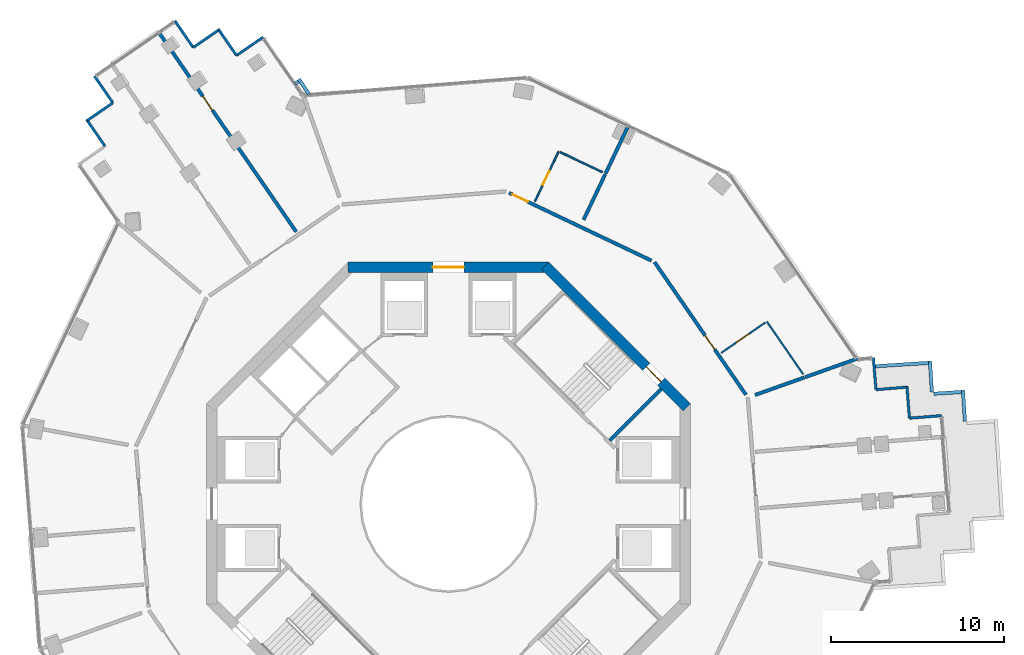
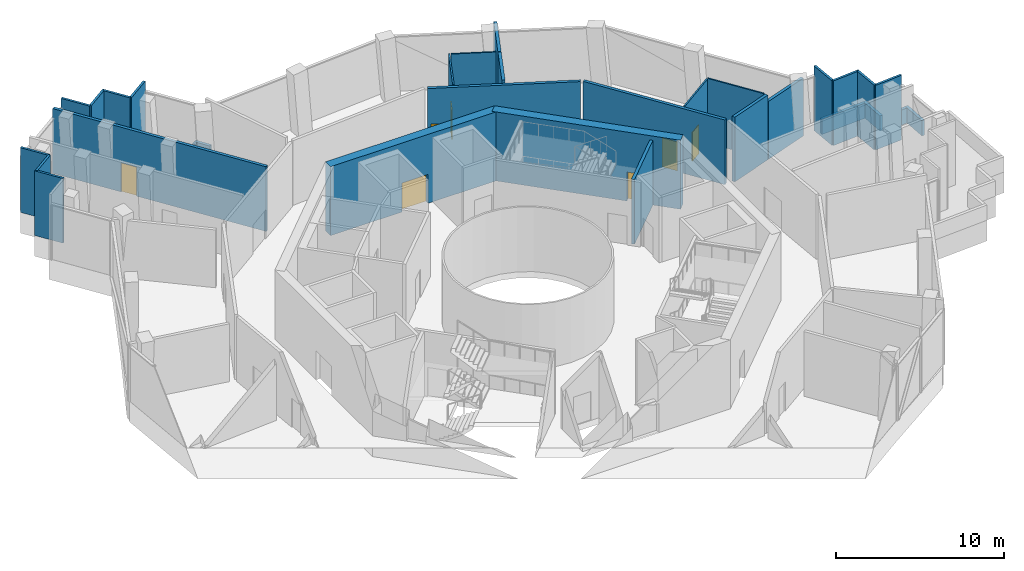
# One storey, part 14 of 21: 31 walls, 7 doors, 7 openings.
"""IFC4 building model written with IfcOpenShell, lengths in metres."""

from ifc_helpers import new_model, si_unit, direction, frame, frame_2d, origin, place, context, subcontext, project, spatial, rectangle, extrude, material, layer, layer_set, type_object, element, fill, save


model = new_model("IFC4")

# Units and contexts
model_context = context("Model", 3, precision=1e-05, world=origin(), true_north=direction((0.0, 1.0)))
body_context = subcontext(model_context, "Body", "Model", "MODEL_VIEW")
ifc_project = project(units=[si_unit("LENGTHUNIT", "METRE"), si_unit("AREAUNIT", "SQUARE_METRE"), si_unit("VOLUMEUNIT", "CUBIC_METRE"), si_unit("PLANEANGLEUNIT", "RADIAN"), si_unit("MASSUNIT", "GRAM", prefix="KILO")], contexts=[model_context])

# Site, building, storey
site_placement = place(None, origin())
site = spatial("IfcSite", under=ifc_project, at=site_placement, CompositionType="ELEMENT")
building_placement = place(site_placement, origin())
building = spatial("IfcBuilding", under=site, at=building_placement, Name="Verdalira Terraces Hotel", CompositionType="ELEMENT")
storey_placement = place(building_placement, frame((0.0, 0.0, 175.0)))
storey = spatial("IfcBuildingStorey", under=building, at=storey_placement, Name="L42", CompositionType="ELEMENT", Elevation=175.0)

# Wall, opening, door
ifc_material_1 = material(Name="Moisture-resistant gypsum board partition")
ifc_layer_1 = layer(ifc_material_1, 0.10009765625)
ifc_layer_set_1 = layer_set([ifc_layer_1], Name="Bathroom partition 100 mm")
wall_type_1 = type_object("IfcWallType", Name="Bathroom partition 100 mm", PredefinedType="PARTITIONING", material=ifc_layer_set_1)
wall_1_placement = place(storey_placement, frame((6.379883, 20.395508, 0.0), z_axis=(0.0, 0.0, 1.0), x_axis=(-0.429581153, -0.903028257, 0.0)))
wall_1 = element("IfcWall", 1, at=wall_1_placement, inside=storey, type_object=wall_type_1, Name="Bathroom partition", PredefinedType="PARTITIONING", context=body_context, shape_type="SweptSolid", body=[
    extrude(rectangle(XDim=3.200195, YDim=0.100098, at=frame_2d((1.600098, 0.0))), origin(), (0.0, 0.0, 1.0), 4.689941),
])
opening_1_placement = place(wall_1_placement, frame((1.25, 0.0, 0.0)))
opening_1 = element("IfcOpeningElement", 2, at=opening_1_placement, cuts=wall_1, Name="Opening L42-120", PredefinedType="OPENING", context=body_context, shape_type="SweptSolid", body=[
    extrude(rectangle(XDim=0.899902, YDim=2.100098, at=frame_2d((0.449951, 1.050049))), frame((0.0, 0.060059, 0.0), z_axis=(0.0, -1.0, 0.0), x_axis=(1.0, 0.0, 0.0)), (0.0, 0.0, 1.0), 0.120117),
])
ifc_material_2 = material(Name="Timber door", Category="wood")
door_type_1 = type_object("IfcDoorType", Name="Bathroom door 900 x 2100", OperationType="NOTDEFINED", PredefinedType="DOOR", material=ifc_material_2)
door_1_placement = place(opening_1_placement, origin())
door_1 = element("IfcDoor", 3, at=door_1_placement, inside=storey, type_object=door_type_1, Name="Bathroom door 4211", OperationType="SINGLE_SWING_LEFT", OverallHeight=2.10009765625, OverallWidth=0.89990234375, PredefinedType="DOOR", context=body_context, shape_type="SweptSolid", body=[
    extrude(rectangle(XDim=0.899902, YDim=2.100098, at=frame_2d((0.449951, 1.050049))), frame((0.0, 0.024902, 0.0), z_axis=(0.0, -1.0, 0.0), x_axis=(1.0, 0.0, 0.0)), (0.0, 0.0, 1.0), 0.050049),
])
fill(opening_1, door_1)

# Wall
wall_2_placement = place(storey_placement, frame((6.470215, 20.352539, 0.0), z_axis=(0.0, 0.0, 1.0), x_axis=(0.903009227, -0.429621153, 0.0)))
element("IfcWall", 4, at=wall_2_placement, inside=storey, type_object=wall_type_1, Name="Bathroom partition", PredefinedType="PARTITIONING", context=body_context, shape_type="SweptSolid", body=[
    extrude(rectangle(XDim=2.699951, YDim=0.100098, at=frame_2d((1.350098, 0.0))), origin(), (0.0, 0.0, 1.0), 4.689941),
])

# Wall, opening, door
wall_3_placement = place(storey_placement, frame((18.3396, 10.497803, 0.0), z_axis=(0.0, 0.0, 1.0), x_axis=(-0.823533764, -0.567267256, 0.0)))
wall_3 = element("IfcWall", 5, at=wall_3_placement, inside=storey, type_object=wall_type_1, Name="Bathroom partition", PredefinedType="PARTITIONING", context=body_context, shape_type="SweptSolid", body=[
    extrude(rectangle(XDim=3.100098, YDim=0.100098, at=frame_2d((1.550049, 0.0))), origin(), (0.0, 0.0, 1.0), 4.689941),
])
opening_2_placement = place(wall_3_placement, frame((1.149902, 0.0, 0.0)))
opening_2 = element("IfcOpeningElement", 6, at=opening_2_placement, cuts=wall_3, Name="Opening L42-118", PredefinedType="OPENING", context=body_context, shape_type="SweptSolid", body=[
    extrude(rectangle(XDim=0.899902, YDim=2.100098, at=frame_2d((0.449951, 1.050049))), frame((0.0, 0.060059, 0.0), z_axis=(0.0, -1.0, 0.0), x_axis=(1.0, 0.0, 0.0)), (0.0, 0.0, 1.0), 0.120117),
])
door_2_placement = place(opening_2_placement, origin())
door_2 = element("IfcDoor", 7, at=door_2_placement, inside=storey, type_object=door_type_1, Name="Bathroom door 4210", OperationType="SINGLE_SWING_LEFT", OverallHeight=2.10009765625, OverallWidth=0.89990234375, PredefinedType="DOOR", context=body_context, shape_type="SweptSolid", body=[
    extrude(rectangle(XDim=0.899902, YDim=2.100098, at=frame_2d((0.449951, 1.050049))), frame((0.0, 0.024902, 0.0), z_axis=(0.0, -1.0, 0.0), x_axis=(1.0, 0.0, 0.0)), (0.0, 0.0, 1.0), 0.050049),
])
fill(opening_2, door_2)

# Walls
wall_4_placement = place(storey_placement, frame((18.422119, 10.554443, 0.0), z_axis=(0.0, 0.0, 1.0), x_axis=(0.567261528, -0.82353771, 0.0)))
element("IfcWall", 8, at=wall_4_placement, inside=storey, type_object=wall_type_1, Name="Bathroom partition", PredefinedType="PARTITIONING", context=body_context, shape_type="SweptSolid", body=[
    extrude(rectangle(XDim=3.703857, YDim=0.100098, at=frame_2d((1.852051, 0.0))), origin(), (0.0, 0.0, 1.0), 4.689941),
])
ifc_material_3 = material(Name="Concrete C50", Category="concrete")
ifc_layer_2 = layer(ifc_material_3, 0.199951171875)
ifc_layer_set_2 = layer_set([ifc_layer_2], Name="Core RC wall 200 C50")
wall_type_2 = type_object("IfcWallType", Name="Core RC wall 200 C50", PredefinedType="SOLIDWALL", material=ifc_layer_set_2)
wall_5_placement = place(storey_placement, frame((9.33374, 3.677002, 0.0), z_axis=(0.0, 0.0, 1.0), x_axis=(0.707135845, 0.707077716, 0.0)))
element("IfcWall", 9, at=wall_5_placement, inside=storey, type_object=wall_type_2, Name="L42 stair ST1 end wall 1", PredefinedType="SOLIDWALL", context=body_context, shape_type="SweptSolid", body=[
    extrude(rectangle(XDim=4.199951, YDim=0.199951, at=frame_2d((2.100098, 0.0))), origin(), (0.0, 0.0, 1.0), 4.689941),
])

# Wall, opening, door
ifc_material_4 = material(Name="Concrete C60", Category="concrete")
ifc_layer_3 = layer(ifc_material_4, 0.60009765625)
ifc_layer_set_3 = layer_set([ifc_layer_3], Name="Core wall 600 C60")
wall_type_3 = type_object("IfcWallType", Name="Core wall 600 C60", PredefinedType="SHEAR", material=ifc_layer_set_3)
wall_6_placement = place(storey_placement, frame((13.787842, 5.586914, 0.0), z_axis=(0.0, 0.0, 1.0), x_axis=(-0.707106781, 0.707106781, 0.0)))
wall_6 = element("IfcWall", 10, at=wall_6_placement, inside=storey, type_object=wall_type_3, Name="Core wall CW-L42-2", PredefinedType="SHEAR", context=body_context, shape_type="SweptSolid", body=[
    extrude(rectangle(XDim=11.5979, YDim=0.600098, at=frame_2d((5.798828, 0.0))), origin(), (0.0, 0.0, 1.0), 5.0),
])
opening_3_placement = place(wall_6_placement, frame((2.099121, 0.0, 0.0)))
opening_3 = element("IfcOpeningElement", 11, at=opening_3_placement, cuts=wall_6, Name="Opening L42-818", PredefinedType="OPENING", context=body_context, shape_type="SweptSolid", body=[
    extrude(rectangle(XDim=1.199951, YDim=2.100098, at=frame_2d((0.600098, 1.050049))), frame((0.0, 0.310059, 0.0), z_axis=(0.0, -1.0, 0.0), x_axis=(1.0, 0.0, 0.0)), (0.0, 0.0, 1.0), 0.620117),
])
ifc_material_5 = material(Name="Steel fire door", Category="steel")
door_type_2 = type_object("IfcDoorType", Name="Stair door 1200 x 2100", OperationType="NOTDEFINED", PredefinedType="DOOR", material=ifc_material_5)
door_3_placement = place(opening_3_placement, origin())
door_3 = element("IfcDoor", 12, at=door_3_placement, inside=storey, type_object=door_type_2, Name="Stair exit door ST1 L42", OperationType="SINGLE_SWING_LEFT", OverallHeight=2.10009765625, OverallWidth=1.199951171875, PredefinedType="DOOR", context=body_context, shape_type="SweptSolid", body=[
    extrude(rectangle(XDim=1.199951, YDim=2.100098, at=frame_2d((0.600098, 1.050049))), frame((0.0, 0.024902, 0.0), z_axis=(0.0, -1.0, 0.0), x_axis=(1.0, 0.0, 0.0)), (0.0, 0.0, 1.0), 0.050049),
])
fill(opening_3, door_3)

wall_7_placement = place(storey_placement, frame((5.799072, 13.699951, 0.0), z_axis=(0.0, 0.0, 1.0), x_axis=(-1.0, 0.0, 0.0)))
wall_7 = element("IfcWall", 13, at=wall_7_placement, inside=storey, type_object=wall_type_3, Name="Core wall CW-L42-3", PredefinedType="SHEAR", context=body_context, shape_type="SweptSolid", body=[
    extrude(rectangle(XDim=11.598145, YDim=0.600098, at=frame_2d((5.799072, 0.0))), origin(), (0.0, 0.0, 1.0), 5.0),
])
opening_4_placement = place(wall_7_placement, frame((4.898926, 0.0, 0.0)))
opening_4 = element("IfcOpeningElement", 14, at=opening_4_placement, cuts=wall_7, Name="Opening L42-815", PredefinedType="OPENING", context=body_context, shape_type="SweptSolid", body=[
    extrude(rectangle(XDim=1.800049, YDim=2.100098, at=frame_2d((0.899902, 1.050049))), frame((0.0, 0.310059, 0.0), z_axis=(0.0, -1.0, 0.0), x_axis=(1.0, 0.0, 0.0)), (0.0, 0.0, 1.0), 0.620117),
])
ifc_material_6 = material(Name="Steel fire door", Category="steel")
door_type_3 = type_object("IfcDoorType", Name="Core entry door pair 1800 x 2100", OperationType="NOTDEFINED", PredefinedType="DOOR", material=ifc_material_6)
door_4_placement = place(opening_4_placement, origin())
door_4 = element("IfcDoor", 15, at=door_4_placement, inside=storey, type_object=door_type_3, Name="Core entry door L42 2", OperationType="DOUBLE_DOOR_SINGLE_SWING", OverallHeight=2.10009765625, OverallWidth=1.800048828125, PredefinedType="DOOR", context=body_context, shape_type="SweptSolid", body=[
    extrude(rectangle(XDim=1.800049, YDim=2.100098, at=frame_2d((0.899902, 1.050049))), frame((0.0, 0.024902, 0.0), z_axis=(0.0, -1.0, 0.0), x_axis=(1.0, 0.0, 0.0)), (0.0, 0.0, 1.0), 0.050049),
])
fill(opening_4, door_4)

ifc_material_7 = material(Name="Fire-rated gypsum board wall")
ifc_layer_4 = layer(ifc_material_7, 0.199951171875)
ifc_layer_set_4 = layer_set([ifc_layer_4], Name="Demising wall 200 mm")
wall_type_4 = type_object("IfcWallType", Name="Demising wall 200 mm", PredefinedType="SOLIDWALL", material=ifc_layer_set_4)
wall_8_placement = place(storey_placement, frame((-16.769287, 27.305908, 0.0), z_axis=(0.0, 0.0, 1.0), x_axis=(0.567279033, -0.823525651, 0.0)))
wall_8 = element("IfcWall", 16, at=wall_8_placement, inside=storey, type_object=wall_type_4, Name="Demising wall", PredefinedType="SOLIDWALL", context=body_context, shape_type="SweptSolid", body=[
    extrude(rectangle(XDim=14.041748, YDim=0.199951, at=frame_2d((7.020996, 0.0))), origin(), (0.0, 0.0, 1.0), 4.689941),
])
opening_5_placement = place(wall_8_placement, frame((4.5, 0.0, 0.0)))
opening_5 = element("IfcOpeningElement", 17, at=opening_5_placement, cuts=wall_8, Name="Opening L42-102", PredefinedType="OPENING", context=body_context, shape_type="SweptSolid", body=[
    extrude(rectangle(XDim=1.0, YDim=2.100098, at=frame_2d((0.5, 1.050049))), frame((0.0, 0.109863, 0.0), z_axis=(0.0, -1.0, 0.0), x_axis=(1.0, 0.0, 0.0)), (0.0, 0.0, 1.0), 0.219971),
])
ifc_material_8 = material(Name="Timber fire door", Category="wood")
door_type_4 = type_object("IfcDoorType", Name="Public room door 1000 x 2100", OperationType="NOTDEFINED", PredefinedType="DOOR", material=ifc_material_8)
door_5_placement = place(opening_5_placement, origin())
door_5 = element("IfcDoor", 18, at=door_5_placement, inside=storey, type_object=door_type_4, Name="Public room door 4201", OperationType="SINGLE_SWING_LEFT", OverallHeight=2.10009765625, OverallWidth=1.0, PredefinedType="DOOR", context=body_context, shape_type="SweptSolid", body=[
    extrude(rectangle(XDim=1.0, YDim=2.100098, at=frame_2d((0.5, 1.050049))), frame((0.0, 0.024902, 0.0), z_axis=(0.0, -1.0, 0.0), x_axis=(1.0, 0.0, 0.0)), (0.0, 0.0, 1.0), 0.050049),
])
fill(opening_5, door_5)

# Walls
wall_9_placement = place(storey_placement, frame((7.820557, 16.440186, 0.0), z_axis=(0.0, 0.0, 1.0), x_axis=(0.429545326, 0.9030453, 0.0)))
element("IfcWall", 19, at=wall_9_placement, inside=storey, type_object=wall_type_4, Name="Demising wall", PredefinedType="SOLIDWALL", context=body_context, shape_type="SweptSolid", body=[
    extrude(rectangle(XDim=2.905029, YDim=0.199951, at=frame_2d((1.452637, 0.0))), origin(), (0.0, 0.0, 1.0), 4.689941),
])
wall_10_placement = place(storey_placement, frame((9.087891, 19.10498, 0.0), z_axis=(0.0, 0.0, 1.0), x_axis=(0.429591364, 0.9030234, 0.0)))
element("IfcWall", 20, at=wall_10_placement, inside=storey, type_object=wall_type_4, Name="Demising wall", PredefinedType="SOLIDWALL", context=body_context, shape_type="SweptSolid", body=[
    extrude(rectangle(XDim=3.101807, YDim=0.199951, at=frame_2d((1.550781, 0.0))), origin(), (0.0, 0.0, 1.0), 4.689941),
])
wall_11_placement = place(storey_placement, frame((17.745117, 6.304688, 0.0), z_axis=(0.0, 0.0, 1.0), x_axis=(0.942293924, 0.33478674, 0.0)))
element("IfcWall", 21, at=wall_11_placement, inside=storey, type_object=wall_type_4, Name="Demising wall", PredefinedType="SOLIDWALL", context=body_context, shape_type="SweptSolid", body=[
    extrude(rectangle(XDim=3.024902, YDim=0.199951, at=frame_2d((1.512451, 0.0))), origin(), (0.0, 0.0, 1.0), 4.689941),
])
ifc_material_9 = material(Name="Fire-rated gypsum board wall")
ifc_layer_5 = layer(ifc_material_9, 0.199951171875)
ifc_layer_set_5 = layer_set([ifc_layer_5], Name="Demising wall 200 mm to beam soffit")
wall_type_5 = type_object("IfcWallType", Name="Demising wall 200 mm to beam soffit", PredefinedType="SOLIDWALL", material=ifc_layer_set_5)
wall_12_placement = place(storey_placement, frame((20.638672, 7.333008, 0.0), z_axis=(0.0, 0.0, 1.0), x_axis=(0.942313304, 0.334732188, 0.0)))
element("IfcWall", 22, at=wall_12_placement, inside=storey, type_object=wall_type_5, Name="Demising wall", PredefinedType="SOLIDWALL", context=body_context, shape_type="SweptSolid", body=[
    extrude(rectangle(XDim=3.211426, YDim=0.199951, at=frame_2d((1.605713, 0.0))), origin(), (0.0, 0.0, 1.0), 4.189941),
])

# Wall, opening, door
ifc_material_10 = material(Name="Fire-rated gypsum board wall")
ifc_layer_6 = layer(ifc_material_10, 0.199951171875)
ifc_layer_set_6 = layer_set([ifc_layer_6], Name="Guest corridor wall 200 mm")
wall_type_6 = type_object("IfcWallType", Name="Guest corridor wall 200 mm", PredefinedType="SOLIDWALL", material=ifc_layer_set_6)
wall_13_placement = place(storey_placement, frame((3.512451, 17.994385, 0.0), z_axis=(0.0, 0.0, 1.0), x_axis=(0.903034211, -0.429568636, 0.0)))
wall_13 = element("IfcWall", 23, at=wall_13_placement, inside=storey, type_object=wall_type_6, Name="Guest corridor wall", PredefinedType="SOLIDWALL", context=body_context, shape_type="SweptSolid", body=[
    extrude(rectangle(XDim=9.115479, YDim=0.199951, at=frame_2d((4.557617, 0.0))), origin(), (0.0, 0.0, 1.0), 4.689941),
])
opening_6_placement = place(wall_13_placement, frame((0.199951, 0.0, 0.0)))
opening_6 = element("IfcOpeningElement", 24, at=opening_6_placement, cuts=wall_13, Name="Opening L42-119", PredefinedType="OPENING", context=body_context, shape_type="SweptSolid", body=[
    extrude(rectangle(XDim=1.0, YDim=2.100098, at=frame_2d((0.5, 1.050049))), frame((0.0, 0.109863, 0.0), z_axis=(0.0, -1.0, 0.0), x_axis=(1.0, 0.0, 0.0)), (0.0, 0.0, 1.0), 0.219971),
])
ifc_material_11 = material(Name="Timber fire door", Category="wood")
door_type_5 = type_object("IfcDoorType", Name="Guest entry door 1000 x 2100", OperationType="NOTDEFINED", PredefinedType="DOOR", material=ifc_material_11)
door_6_placement = place(opening_6_placement, origin())
door_6 = element("IfcDoor", 25, at=door_6_placement, inside=storey, type_object=door_type_5, Name="Guest entry door 4211", OperationType="SINGLE_SWING_LEFT", OverallHeight=2.10009765625, OverallWidth=1.0, PredefinedType="DOOR", context=body_context, shape_type="SweptSolid", body=[
    extrude(rectangle(XDim=1.0, YDim=2.100098, at=frame_2d((0.5, 1.050049))), frame((0.0, 0.024902, 0.0), z_axis=(0.0, -1.0, 0.0), x_axis=(1.0, 0.0, 0.0)), (0.0, 0.0, 1.0), 0.050049),
])
fill(opening_6, door_6)

wall_14_placement = place(storey_placement, frame((11.925537, 13.991943, 0.0), z_axis=(0.0, 0.0, 1.0), x_axis=(0.567263767, -0.823536167, 0.0)))
wall_14 = element("IfcWall", 26, at=wall_14_placement, inside=storey, type_object=wall_type_6, Name="Guest corridor wall", PredefinedType="SOLIDWALL", context=body_context, shape_type="SweptSolid", body=[
    extrude(rectangle(XDim=9.316162, YDim=0.199951, at=frame_2d((4.658203, 0.0))), origin(), (0.0, 0.0, 1.0), 4.689941),
])
opening_7_placement = place(wall_14_placement, frame((5.149902, 0.0, 0.0)))
opening_7 = element("IfcOpeningElement", 27, at=opening_7_placement, cuts=wall_14, Name="Opening L42-117", PredefinedType="OPENING", context=body_context, shape_type="SweptSolid", body=[
    extrude(rectangle(XDim=1.0, YDim=2.100098, at=frame_2d((0.5, 1.050049))), frame((0.0, 0.109863, 0.0), z_axis=(0.0, -1.0, 0.0), x_axis=(1.0, 0.0, 0.0)), (0.0, 0.0, 1.0), 0.219971),
])
door_7_placement = place(opening_7_placement, origin())
door_7 = element("IfcDoor", 28, at=door_7_placement, inside=storey, type_object=door_type_5, Name="Guest entry door 4210", OperationType="SINGLE_SWING_LEFT", OverallHeight=2.10009765625, OverallWidth=1.0, PredefinedType="DOOR", context=body_context, shape_type="SweptSolid", body=[
    extrude(rectangle(XDim=1.0, YDim=2.100098, at=frame_2d((0.5, 1.050049))), frame((0.0, 0.024902, 0.0), z_axis=(0.0, -1.0, 0.0), x_axis=(1.0, 0.0, 0.0)), (0.0, 0.0, 1.0), 0.050049),
])
fill(opening_7, door_7)

# Walls
ifc_material_12 = material(Name="Terracotta cladding", Category="masonry")
ifc_layer_7 = layer(ifc_material_12, 0.199951171875)
ifc_layer_set_7 = layer_set([ifc_layer_7], Name="Terracotta clad parapet 200")
wall_type_7 = type_object("IfcWallType", Name="Terracotta clad parapet 200", PredefinedType="PARAPET", material=ifc_layer_set_7)
wall_15_placement = place(storey_placement, frame((-8.066162, 23.705566, 0.0), z_axis=(0.0, 0.0, 1.0), x_axis=(-0.553357547, 0.832943831, 0.0)))
element("IfcWall", 29, at=wall_15_placement, inside=storey, type_object=wall_type_7, Name="Terracotta clad parapet", PredefinedType="PARAPET", context=body_context, shape_type="SweptSolid", body=[
    extrude(rectangle(XDim=1.049561, YDim=0.199951, at=frame_2d((0.524902, 0.0))), origin(), (0.0, 0.0, 1.0), 1.100098),
])
wall_16_placement = place(storey_placement, frame((-8.675049, 24.441162, 0.0), z_axis=(0.0, 0.0, 1.0), x_axis=(-0.833246407, -0.552901822, 0.0)))
element("IfcWall", 30, at=wall_16_placement, inside=storey, type_object=wall_type_7, Name="Terracotta clad parapet", PredefinedType="PARAPET", context=body_context, shape_type="SweptSolid", body=[
    extrude(rectangle(XDim=0.219482, YDim=0.199951, at=frame_2d((0.109863, 0.0))), origin(), (0.0, 0.0, 1.0), 1.100098),
])
wall_17_placement = place(storey_placement, frame((29.883301, 4.785889, 0.0), z_axis=(0.0, 0.0, 1.0), x_axis=(-0.062800501, 0.9980261, 0.0)))
element("IfcWall", 31, at=wall_17_placement, inside=storey, type_object=wall_type_7, Name="Terracotta clad parapet", PredefinedType="PARAPET", context=body_context, shape_type="SweptSolid", body=[
    extrude(rectangle(XDim=1.800049, YDim=0.199951, at=frame_2d((0.899902, 0.0))), origin(), (0.0, 0.0, 1.0), 1.100098),
])
wall_18_placement = place(storey_placement, frame((29.676758, 6.476074, 0.0), z_axis=(0.0, 0.0, 1.0), x_axis=(-0.998031744, -0.062710755, 0.0)))
element("IfcWall", 32, at=wall_18_placement, inside=storey, type_object=wall_type_7, Name="Terracotta clad parapet", PredefinedType="PARAPET", context=body_context, shape_type="SweptSolid", body=[
    extrude(rectangle(XDim=1.600098, YDim=0.199951, at=frame_2d((0.800049, 0.0))), origin(), (0.0, 0.0, 1.0), 1.100098),
])
wall_19_placement = place(storey_placement, frame((27.973633, 6.469238, 0.0), z_axis=(0.0, 0.0, 1.0), x_axis=(-0.062800501, 0.9980261, 0.0)))
element("IfcWall", 33, at=wall_19_placement, inside=storey, type_object=wall_type_7, Name="Terracotta clad parapet", PredefinedType="PARAPET", context=body_context, shape_type="SweptSolid", body=[
    extrude(rectangle(XDim=1.800049, YDim=0.199951, at=frame_2d((0.899902, 0.0))), origin(), (0.0, 0.0, 1.0), 1.100098),
])
wall_20_placement = place(storey_placement, frame((27.76709, 8.159668, 0.0), z_axis=(0.0, 0.0, 1.0), x_axis=(-0.998023374, -0.062843812, 0.0)))
element("IfcWall", 34, at=wall_20_placement, inside=storey, type_object=wall_type_7, Name="Terracotta clad parapet", PredefinedType="PARAPET", context=body_context, shape_type="SweptSolid", body=[
    extrude(rectangle(XDim=3.069092, YDim=0.199951, at=frame_2d((1.534668, 0.0))), origin(), (0.0, 0.0, 1.0), 1.100098),
])
ifc_material_13 = material(Name="Terracotta cladding", Category="masonry")
ifc_layer_8 = layer(ifc_material_13, 0.14990234375)
ifc_layer_set_8 = layer_set([ifc_layer_8], Name="Terracotta clad wall 150")
wall_type_8 = type_object("IfcWallType", Name="Terracotta clad wall 150", PredefinedType="SOLIDWALL", material=ifc_layer_set_8)
wall_21_placement = place(storey_placement, frame((-10.714844, 27.013916, 0.0), z_axis=(0.0, 0.0, 1.0), x_axis=(-0.823521118, -0.567285614, 0.0)))
element("IfcWall", 35, at=wall_21_placement, inside=storey, type_object=wall_type_8, Name="Terracotta cladding wall", PredefinedType="SOLIDWALL", context=body_context, shape_type="SweptSolid", body=[
    extrude(rectangle(XDim=1.875, YDim=0.149902, at=frame_2d((0.9375, 0.0))), origin(), (0.0, 0.0, 1.0), 4.689941),
])
wall_22_placement = place(storey_placement, frame((-12.259033, 25.950195, 0.0), z_axis=(0.0, 0.0, 1.0), x_axis=(-0.567219383, 0.823566737, 0.0)))
element("IfcWall", 36, at=wall_22_placement, inside=storey, type_object=wall_type_8, Name="Terracotta cladding wall", PredefinedType="SOLIDWALL", context=body_context, shape_type="SweptSolid", body=[
    extrude(rectangle(XDim=1.800049, YDim=0.149902, at=frame_2d((0.899902, 0.0))), origin(), (0.0, 0.0, 1.0), 4.689941),
])
for number, where, z_axis, x_axis, name in (
    (37, (-13.218262, 27.475098, 0.0), (0.0, 0.0, 1.0), (-0.823521118, -0.567285614, 0.0), "Terracotta cladding wall"),
    (38, (-14.762451, 26.411377, 0.0), (0.0, 0.0, 1.0), (-0.567285614, 0.823521118, 0.0), "Terracotta cladding wall"),
    (39, (-20.479004, 24.750488, 0.0), (0.0, 0.0, 1.0), (0.567197304, -0.823581944, 0.0), "Terracotta cladding wall"),
):
    element("IfcWall", number, at=place(storey_placement, frame(where, z_axis=z_axis, x_axis=x_axis)), inside=storey, type_object=wall_type_8, Name=name, PredefinedType="SOLIDWALL", context=body_context, shape_type="SweptSolid", body=[
        extrude(rectangle(XDim=1.875, YDim=0.149902, at=frame_2d((0.9375, 0.0))), origin(), (0.0, 0.0, 1.0), 4.689941),
    ])
wall_23_placement = place(storey_placement, frame((-19.415527, 23.206299, 0.0), z_axis=(0.0, 0.0, 1.0), x_axis=(-0.823523092, -0.567282749, 0.0)))
element("IfcWall", 40, at=wall_23_placement, inside=storey, type_object=wall_type_8, Name="Terracotta cladding wall", PredefinedType="SOLIDWALL", context=body_context, shape_type="SweptSolid", body=[
    extrude(rectangle(XDim=1.799805, YDim=0.149902, at=frame_2d((0.899902, 0.0))), origin(), (0.0, 0.0, 1.0), 4.689941),
])
for number, where, z_axis, x_axis, name in (
    (41, (-20.94043, 22.24707, 0.0), (0.0, 0.0, 1.0), (0.567285614, -0.823521118, 0.0), "Terracotta cladding wall"),
    (42, (28.54248, 5.110352, 0.0), (0.0, 0.0, 1.0), (-0.996840895, -0.079424366, 0.0), "Terracotta cladding wall"),
):
    element("IfcWall", number, at=place(storey_placement, frame(where, z_axis=z_axis, x_axis=x_axis)), inside=storey, type_object=wall_type_8, Name=name, PredefinedType="SOLIDWALL", context=body_context, shape_type="SweptSolid", body=[
        extrude(rectangle(XDim=1.875, YDim=0.149902, at=frame_2d((0.9375, 0.0))), origin(), (0.0, 0.0, 1.0), 4.689941),
    ])
wall_24_placement = place(storey_placement, frame((26.67334, 4.961426, 0.0), z_axis=(0.0, 0.0, 1.0), x_axis=(-0.079486442, 0.996835947, 0.0)))
element("IfcWall", 43, at=wall_24_placement, inside=storey, type_object=wall_type_8, Name="Terracotta cladding wall", PredefinedType="SOLIDWALL", context=body_context, shape_type="SweptSolid", body=[
    extrude(rectangle(XDim=1.799805, YDim=0.149902, at=frame_2d((0.899902, 0.0))), origin(), (0.0, 0.0, 1.0), 4.689941),
])
for number, where, z_axis, x_axis, name in (
    (44, (26.60498, 6.761475, 0.0), (0.0, 0.0, 1.0), (-0.996840895, -0.079424366, 0.0), "Terracotta cladding wall"),
    (45, (24.73584, 6.612549, 0.0), (0.0, 0.0, 1.0), (-0.079424366, 0.996840895, 0.0), "Terracotta cladding wall"),
):
    element("IfcWall", number, at=place(storey_placement, frame(where, z_axis=z_axis, x_axis=x_axis)), inside=storey, type_object=wall_type_8, Name=name, PredefinedType="SOLIDWALL", context=body_context, shape_type="SweptSolid", body=[
        extrude(rectangle(XDim=1.875, YDim=0.149902, at=frame_2d((0.9375, 0.0))), origin(), (0.0, 0.0, 1.0), 4.689941),
    ])

save(model, "model.ifc")
